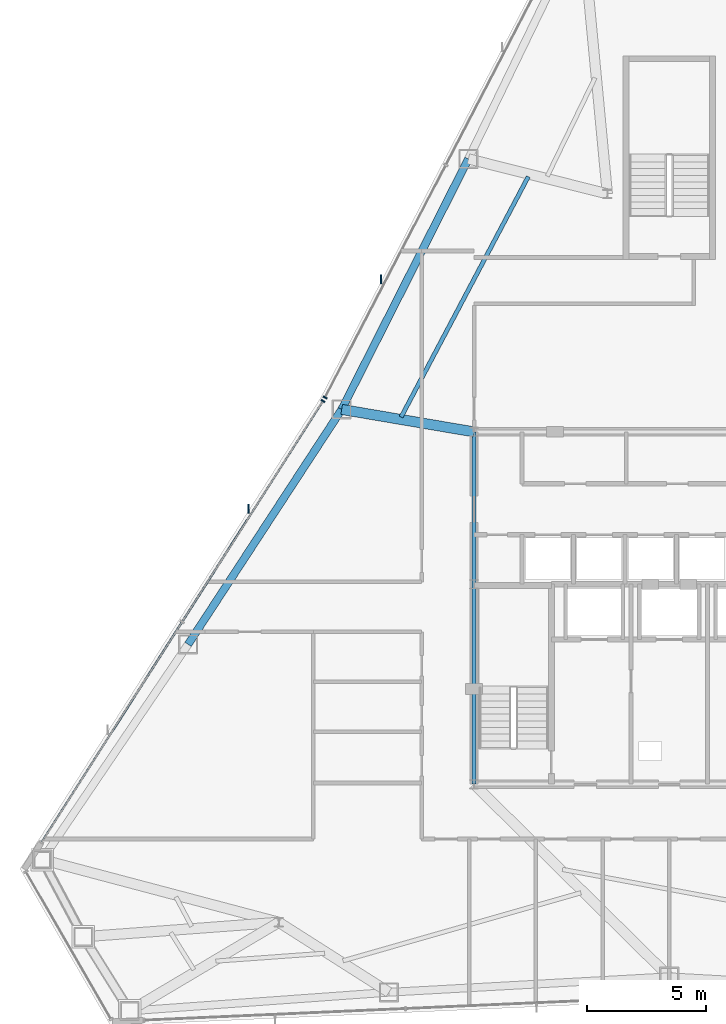
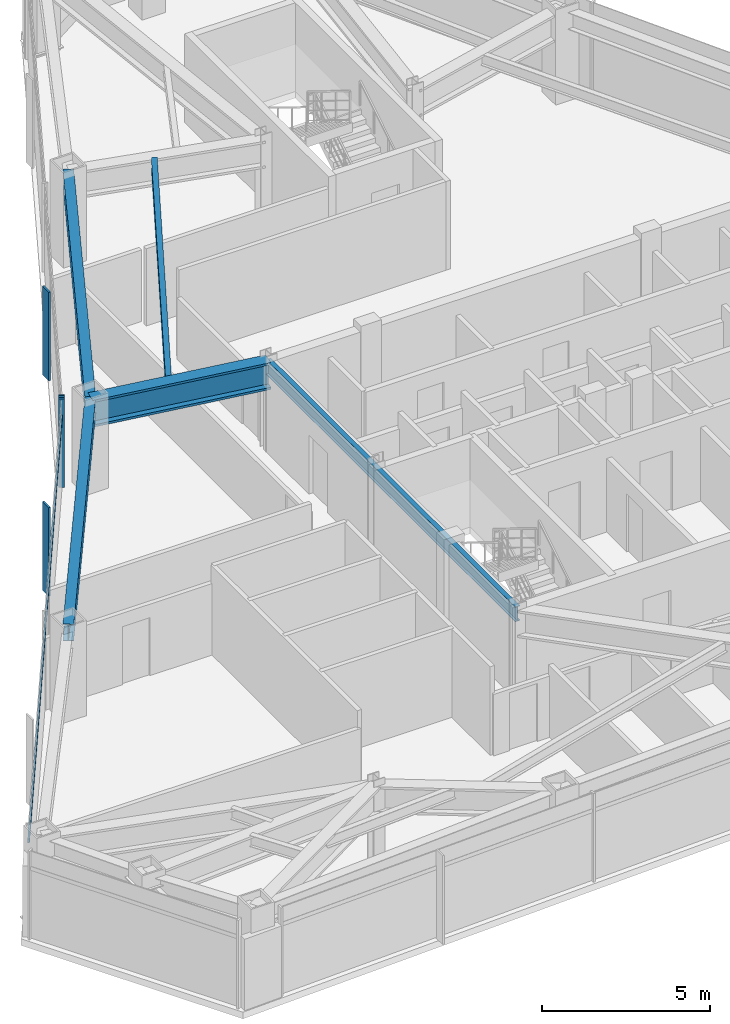
# One storey, part 5 of 13: 5 beams, 5 members, 2 elements without a shape of their own.
"""IFC4 building model written with IfcOpenShell, lengths in metres."""

from ifc_helpers import new_model, si_unit, direction, frame, origin, origin_2d, place, context, subcontext, project, spatial, rectangle, i_section, extrude, source, transform, mapped, material, layer, layer_set, material_profile, profile_set, type_object, type_shapes, element, aggregate, save


model = new_model("IFC4")

# Units and contexts
model_context = context("Model", 3, precision=1e-05, world=origin(), true_north=direction((0.0, 1.0)))
body_context = subcontext(model_context, "Body", "Model", "MODEL_VIEW")
ifc_project = project(units=[si_unit("LENGTHUNIT", "METRE"), si_unit("AREAUNIT", "SQUARE_METRE"), si_unit("VOLUMEUNIT", "CUBIC_METRE"), si_unit("PLANEANGLEUNIT", "RADIAN"), si_unit("MASSUNIT", "GRAM", prefix="KILO")], contexts=[model_context])

# Site, building, storey
site_placement = place(None, origin())
site = spatial("IfcSite", under=ifc_project, at=site_placement, CompositionType="ELEMENT")
building_placement = place(site_placement, origin())
building = spatial("IfcBuilding", under=site, at=building_placement, Name="Varakhsha Concourse Tower", CompositionType="ELEMENT")
storey_placement = place(building_placement, frame((0.0, 0.0, 189.60009765625)))
storey = spatial("IfcBuildingStorey", under=building, at=storey_placement, Name="L54", CompositionType="ELEMENT", Elevation=189.60009765625)

# Beams
ifc_material_1 = material(Name="Structural Steel ASTM A992 Grade 50", Category="steel")
ifc_material_profile_1 = material_profile(ifc_material_1, i_section(OverallWidth=0.177978515625, OverallDepth=0.406982421875, WebThickness=0.008056640625, FlangeThickness=0.012939453125, at=origin_2d()), Name="W16X40")
ifc_profile_set_1 = profile_set([ifc_material_profile_1], Name="Structural Steel ASTM A992 Grade 50")
beam_type_1 = type_object("IfcBeamType", Name="BM-JST-W16X40", PredefinedType="JOIST", material=ifc_profile_set_1)
beam_1_placement = place(storey_placement, frame((34.079833984375, 41.9248046875, 3.00634765625), z_axis=(-0.467543058514, -0.88397029839, 0.0), x_axis=(0.88397029839, -0.467543058514, 0.0)))
element("IfcBeam", 1, at=beam_1_placement, inside=storey, type_object=beam_type_1, Name="BM-TJST-L54-04", PredefinedType="JOIST", context=body_context, shape_type="SweptSolid", body=[
    extrude(i_section(OverallWidth=0.177978515625, OverallDepth=0.406982421875, WebThickness=0.008056640625, FlangeThickness=0.012939453125, at=origin_2d()), origin(), (0.0, 0.0, 1.0), 11.4248046875),
])
ifc_material_profile_2 = material_profile(ifc_material_1, i_section(OverallWidth=0.1669921875, OverallDepth=0.534912109375, WebThickness=0.010009765625, FlangeThickness=0.01708984375, at=origin_2d()), Name="W21X57")
ifc_profile_set_2 = profile_set([ifc_material_profile_2], Name="Structural Steel ASTM A992 Grade 50")
beam_type_2 = type_object("IfcBeamType", Name="BM-RAD-W21X57", PredefinedType="BEAM", material=ifc_profile_set_2)
beam_2_placement = place(storey_placement, frame((31.800048828125, 16.39990234375, 2.9423828125), z_axis=(0.0, 1.0, 0.0), x_axis=(-1.0, 0.0, 0.0)))
element("IfcBeam", 2, at=beam_2_placement, inside=storey, type_object=beam_type_2, Name="BM-TCORE-L54-CW", PredefinedType="BEAM", context=body_context, shape_type="SweptSolid", body=[
    extrude(i_section(OverallWidth=0.1669921875, OverallDepth=0.534912109375, WebThickness=0.010009765625, FlangeThickness=0.01708984375, at=origin_2d()), origin(), (0.0, 0.0, 1.0), 14.800048828125),
])
ifc_material_profile_3 = material_profile(ifc_material_1, i_section(OverallWidth=0.323974609375, OverallDepth=0.611083984375, WebThickness=0.012939453125, FlangeThickness=0.01904296875, at=origin_2d()), Name="W24X104")
ifc_profile_set_3 = profile_set([ifc_material_profile_3], Name="Structural Steel ASTM A992 Grade 50")
beam_type_3 = type_object("IfcBeamType", Name="BM-SPAN-W24X104", PredefinedType="SPANDREL", material=ifc_profile_set_3)
beam_3_placement = place(storey_placement, frame((31.56298828125, 42.668212890625, 2.904296875), z_axis=(-0.451266437973, -0.892389265937, 0.0), x_axis=(0.892389265937, -0.451266437973, 0.0)))
element("IfcBeam", 3, at=beam_3_placement, inside=storey, type_object=beam_type_3, Name="BM-SPAN-L54-04", PredefinedType="SPANDREL", context=body_context, shape_type="SweptSolid", body=[
    extrude(i_section(OverallWidth=0.323974609375, OverallDepth=0.611083984375, WebThickness=0.012939453125, FlangeThickness=0.01904296875, at=origin_2d()), origin(), (0.0, 0.0, 1.0), 11.79345703125),
])
beam_4_placement = place(storey_placement, frame((26.240966796875, 32.143798828125, 2.904296875), z_axis=(-0.547191913487, -0.837007174291, 0.0), x_axis=(0.837007174291, -0.547191913487, 0.0)))
element("IfcBeam", 4, at=beam_4_placement, inside=storey, type_object=beam_type_3, Name="BM-SPAN-L54-05", PredefinedType="SPANDREL", context=body_context, shape_type="SweptSolid", body=[
    extrude(i_section(OverallWidth=0.323974609375, OverallDepth=0.611083984375, WebThickness=0.012939453125, FlangeThickness=0.01904296875, at=origin_2d()), origin(), (0.0, 0.0, 1.0), 11.793701171875),
])
ifc_material_profile_4 = material_profile(ifc_material_1, i_section(OverallWidth=0.427978515625, OverallDepth=0.97509765625, WebThickness=0.050048828125, FlangeThickness=0.0810546875, at=origin_2d()), Name="W36X395")
ifc_profile_set_4 = profile_set([ifc_material_profile_4], Name="Structural Steel ASTM A992 Grade 50")
beam_type_4 = type_object("IfcBeamType", Name="BM-XFER-W36X395", PredefinedType="USERDEFINED", material=ifc_profile_set_4)
beam_5_placement = place(storey_placement, frame((31.800048828125, 31.199951171875, 2.722412109375), z_axis=(-0.985890879111, 0.167389290235, 0.0), x_axis=(-0.167389290235, -0.985890879111, 0.0)))
element("IfcBeam", 5, at=beam_5_placement, inside=storey, type_object=beam_type_4, Name="L54 Radial Floor Girder 05", ObjectType="GIRDER", PredefinedType="USERDEFINED", context=body_context, shape_type="SweptSolid", body=[
    extrude(i_section(OverallWidth=0.427978515625, OverallDepth=0.97509765625, WebThickness=0.050048828125, FlangeThickness=0.0810546875, at=origin_2d()), origin(), (0.0, 0.0, 1.0), 5.638671875),
])

# Curtain wall, member
ifc_material_2 = material(Name="Anodised Bronze Architectural Aluminium AA 6063-T6", Category="aluminium")
ifc_layer = layer(ifc_material_2, 0.2099609375, Name="CW-SYS-04")
ifc_layer_set = layer_set([ifc_layer], Name="Anodised Bronze Architectural Aluminium AA 6063-T6")
curtain_wall_type = type_object("IfcCurtainWallType", Name="CW-SYS-04", PredefinedType="NOTDEFINED", material=ifc_layer_set)
curtain_wall_1_placement = place(storey_placement, origin())
curtain_wall_1 = element("IfcCurtainWall", 6, at=curtain_wall_1_placement, inside=storey, type_object=curtain_wall_type, Name="L54 Crystal Curtain Wall F2", PredefinedType="NOTDEFINED")
ifc_material_profile_5 = material_profile(ifc_material_2, rectangle(XDim=0.06005859375, YDim=0.3798828125, at=origin_2d()), Name="FIN-BRZ-380")
ifc_profile_set_5 = profile_set([ifc_material_profile_5], Name="Anodised Bronze Architectural Aluminium AA 6063-T6")
member_type_1 = type_object("IfcMemberType", Name="FIN-BRZ-380", PredefinedType="USERDEFINED", material=ifc_profile_set_5)
shared_shape_1 = source(origin(), body_context, "Body", "SweptSolid", [
    extrude(rectangle(XDim=0.06005859375, YDim=0.3798828125, at=origin_2d()), origin(), (0.0, 0.0, 1.0), 3.2099609375),
])
type_shapes(member_type_1, [shared_shape_1])
member_1_placement = place(storey_placement, frame((27.8974609375, 37.620849609375, 0.0), z_axis=(0.0, 0.0, 1.0), x_axis=(1.0, 0.0, 0.0)))
member_1 = element("IfcMember", 7, at=member_1_placement, type_object=member_type_1, Name="L54 Anodised Bronze Solar Fin F2-1", ObjectType="SOLAR FIN", PredefinedType="USERDEFINED", context=body_context, shape_type="MappedRepresentation", body=[
    mapped(shared_shape_1, transform((0.0, 0.0, 0.0), scale=1.0)),
])

curtain_wall_2_placement = place(storey_placement, origin())
curtain_wall_2 = element("IfcCurtainWall", 8, at=curtain_wall_2_placement, inside=storey, type_object=curtain_wall_type, Name="L54 Crystal Curtain Wall F3", PredefinedType="NOTDEFINED")
member_2_placement = place(storey_placement, frame((22.325927734375, 27.970703125, 0.0), z_axis=(0.0, 0.0, 1.0), x_axis=(1.0, 0.0, 0.0)))
member_2 = element("IfcMember", 9, at=member_2_placement, type_object=member_type_1, Name="L54 Anodised Bronze Solar Fin F3-2", ObjectType="SOLAR FIN", PredefinedType="USERDEFINED", context=body_context, shape_type="MappedRepresentation", body=[
    mapped(shared_shape_1, transform((0.0, 0.0, 0.0), scale=1.0)),
])

# Member
ifc_material_profile_6 = material_profile(ifc_material_2, rectangle(XDim=0.06494140625, YDim=0.179931640625, at=origin_2d()), Name="CWM-180X65")
ifc_profile_set_6 = profile_set([ifc_material_profile_6], Name="Anodised Bronze Architectural Aluminium AA 6063-T6")
member_type_2 = type_object("IfcMemberType", Name="CWM-180X65", PredefinedType="MULLION", material=ifc_profile_set_6)
shared_shape_2 = source(origin(), body_context, "Body", "SweptSolid", [
    extrude(rectangle(XDim=0.06494140625, YDim=0.179931640625, at=origin_2d()), origin(), (0.0, 0.0, 1.0), 3.2099609375),
])
type_shapes(member_type_2, [shared_shape_2])
member_3_placement = place(storey_placement, frame((25.54345703125, 32.64697265625, 0.0), z_axis=(0.0, 0.0, 1.0), x_axis=(0.461155577875, 0.887319295967, 0.0)))
member_3 = element("IfcMember", 10, at=member_3_placement, type_object=member_type_2, Name="CW-L54-F2 Mullion 00", PredefinedType="MULLION", context=body_context, shape_type="MappedRepresentation", body=[
    mapped(shared_shape_2, transform((0.0, 0.0, 0.0), scale=1.0)),
])

aggregate(curtain_wall_1, [member_3, member_1])

member_4_placement = place(storey_placement, frame((25.45654296875, 32.49609375, 0.0), z_axis=(0.0, 0.0, 1.0), x_axis=(0.537863262638, 0.84303209352, 0.0)))
member_4 = element("IfcMember", 11, at=member_4_placement, type_object=member_type_2, Name="CW-L54-F3 Mullion 02", PredefinedType="MULLION", context=body_context, shape_type="MappedRepresentation", body=[
    mapped(shared_shape_2, transform((0.0, 0.0, 0.0), scale=1.0)),
])

ifc_material_profile_7 = material_profile(ifc_material_2, rectangle(XDim=0.06005859375, YDim=0.139892578125, at=origin_2d()), Name="CWT-140X60")
ifc_profile_set_7 = profile_set([ifc_material_profile_7], Name="Anodised Bronze Architectural Aluminium AA 6063-T6")
member_type_3 = type_object("IfcMemberType", Name="CWT-140X60", PredefinedType="USERDEFINED", material=ifc_profile_set_7)
shared_shape_3 = source(origin(), body_context, "Body", "SweptSolid", [
    extrude(rectangle(XDim=0.06005859375, YDim=0.139892578125, at=origin_2d()), origin(), (0.0, 0.0, 1.0), 21.99609375),
])
type_shapes(member_type_3, [shared_shape_3])
member_5_placement = place(storey_placement, frame((13.62548828125, 13.952880859375, 2.559814453125), z_axis=(0.537872683916, 0.843026082572, 0.0), x_axis=(-0.843026082572, 0.537872683916, 0.0)))
member_5 = element("IfcMember", 12, at=member_5_placement, type_object=member_type_3, Name="CW-L54-F3 Transom 01", ObjectType="TRANSOM", PredefinedType="USERDEFINED", context=body_context, shape_type="MappedRepresentation", body=[
    mapped(shared_shape_3, transform((0.0, 0.0, 0.0), scale=1.0)),
])

aggregate(curtain_wall_2, [member_4, member_5, member_2])

save(model, "model.ifc")
